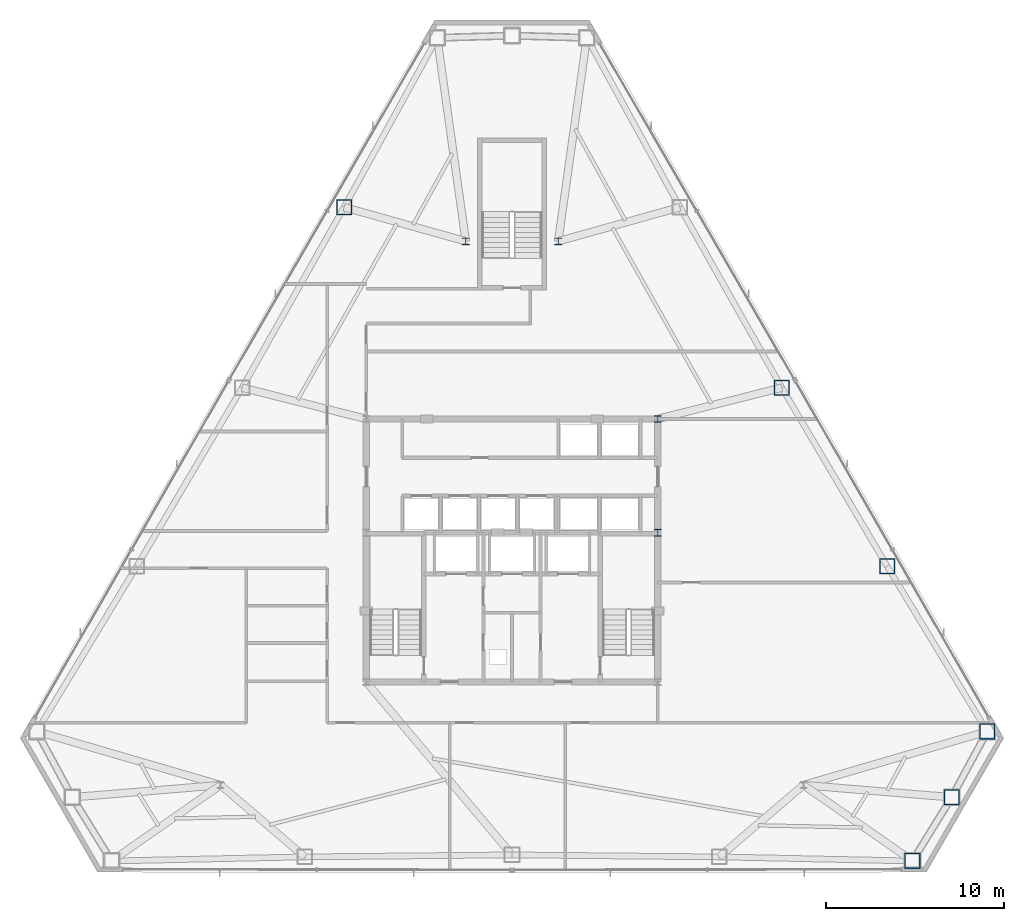
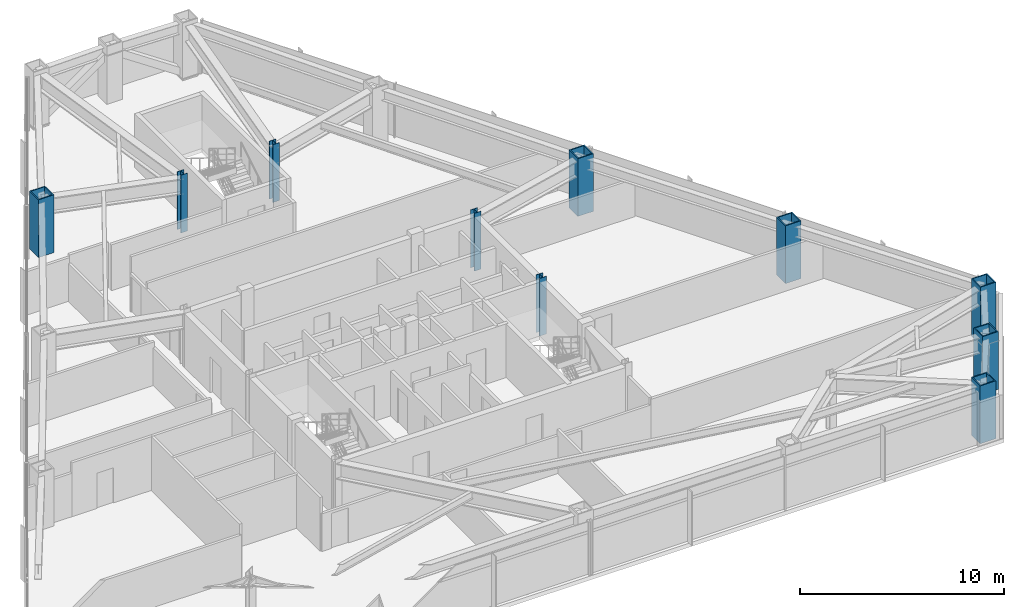
# One storey, part 2 of 12: 10 columns.
"""IFC4 building model written with IfcOpenShell, lengths in metres."""

from ifc_helpers import new_model, si_unit, direction, frame, origin, origin_2d, place, context, subcontext, project, spatial, hollow_rectangle, i_section, extrude, material, material_profile, profile_set, type_object, element, save


model = new_model("IFC4")

# Units and contexts
model_context = context("Model", 3, precision=1e-05, world=origin(), true_north=direction((0.0, 1.0)))
body_context = subcontext(model_context, "Body", "Model", "MODEL_VIEW")
ifc_project = project(units=[si_unit("LENGTHUNIT", "METRE"), si_unit("AREAUNIT", "SQUARE_METRE"), si_unit("VOLUMEUNIT", "CUBIC_METRE"), si_unit("PLANEANGLEUNIT", "RADIAN"), si_unit("MASSUNIT", "GRAM", prefix="KILO")], contexts=[model_context])

# Site, building, storey
site_placement = place(None, origin())
site = spatial("IfcSite", under=ifc_project, at=site_placement, CompositionType="ELEMENT")
building_placement = place(site_placement, origin())
building = spatial("IfcBuilding", under=site, at=building_placement, Name="Varakhsha Concourse Tower", CompositionType="ELEMENT")
storey_placement = place(building_placement, frame((0.0, 0.0, 119.449951171875)))
storey = spatial("IfcBuildingStorey", under=building, at=storey_placement, Name="L34", CompositionType="ELEMENT", Elevation=119.449951171875)

# Columns
ifc_material_1 = material(Name="Structural Steel ASTM A992 Grade 50", Category="steel")
ifc_material_profile_1 = material_profile(ifc_material_1, i_section(OverallWidth=0.3740234375, OverallDepth=0.3720703125, WebThickness=0.01611328125, FlangeThickness=0.02587890625, at=origin_2d()), Name="W14X132")
ifc_profile_set_1 = profile_set([ifc_material_profile_1], Name="Structural Steel ASTM A992 Grade 50")
column_type_1 = type_object("IfcColumnType", Name="CL-CORE-W14X132", PredefinedType="COLUMN", material=ifc_profile_set_1)
for number, where, z_axis, x_axis, name in (
    (1, (48.199951171875, 24.800048828125, 0.0), (0.0, 0.0, 1.0), (1.0, 0.0, 0.0), "L34 Core Column CC-ME"),
    (2, (48.199951171875, 31.199951171875, 0.0), (0.0, 0.0, 1.0), (1.0, 0.0, 0.0), "L34 Core Column CC-NE"),
    (3, (37.39990234375, 41.199951171875, 0.0), (0.0, 0.0, 1.0), (1.0, 0.0, 0.0), "L34 Core Column NS-W"),
    (4, (42.60009765625, 41.199951171875, 0.0), (0.0, 0.0, 1.0), (1.0, 0.0, 0.0), "L34 Core Column NS-E"),
):
    element("IfcColumn", number, at=place(storey_placement, frame(where, z_axis=z_axis, x_axis=x_axis)), inside=storey, type_object=column_type_1, Name=name, PredefinedType="COLUMN", context=body_context, shape_type="SweptSolid", body=[
        extrude(i_section(OverallWidth=0.3740234375, OverallDepth=0.3720703125, WebThickness=0.01611328125, FlangeThickness=0.02587890625, at=origin_2d()), origin(), (0.0, 0.0, 1.0), 3.449951171875),
    ])
ifc_material_2 = material(Name="Structural Steel ASTM A572 Grade 50", Category="steel")
ifc_material_profile_2 = material_profile(ifc_material_2, hollow_rectangle(XDim=0.8798828125, YDim=0.8798828125, WallThickness=0.06005859375, at=origin_2d()), Name="BOX 880x880x60")
ifc_profile_set_2 = profile_set([ifc_material_profile_2], Name="Structural Steel ASTM A572 Grade 50")
column_type_2 = type_object("IfcColumnType", Name="CL-TUBE-880", PredefinedType="COLUMN", material=ifc_profile_set_2)
for number, where, z_axis, x_axis, name in (
    (5, (30.554443359375, 43.120361328125, 0.0), (0.0, 0.0, 1.0), (1.0, 0.0, 0.0), "L34 Framed-Tube Column TC04"),
    (6, (62.53564453125, 6.328857421875, 0.0), (0.0, 0.0, 1.0), (1.0, 0.0, 0.0), "L34 Framed-Tube Column TC13"),
    (7, (64.7451171875, 9.913330078125, 0.0), (0.0, 0.0, 1.0), (1.0, 0.0, 0.0), "L34 Framed-Tube Column TC14"),
    (8, (66.744873046875, 13.619140625, 0.0), (0.0, 0.0, 1.0), (1.0, 0.0, 0.0), "L34 Framed-Tube Column TC15"),
    (9, (61.1083984375, 22.919921875, 0.0), (0.0, 0.0, 1.0), (1.0, 0.0, 0.0), "L34 Framed-Tube Column TC16"),
    (10, (55.180419921875, 32.96435546875, 0.0), (0.0, 0.0, 1.0), (1.0, 0.0, 0.0), "L34 Framed-Tube Column TC17"),
):
    element("IfcColumn", number, at=place(storey_placement, frame(where, z_axis=z_axis, x_axis=x_axis)), inside=storey, type_object=column_type_2, Name=name, PredefinedType="COLUMN", context=body_context, shape_type="SweptSolid", body=[
        extrude(hollow_rectangle(XDim=0.8798828125, YDim=0.8798828125, WallThickness=0.06005859375, at=origin_2d()), origin(), (0.0, 0.0, 1.0), 3.449951171875),
    ])

save(model, "model.ifc")
